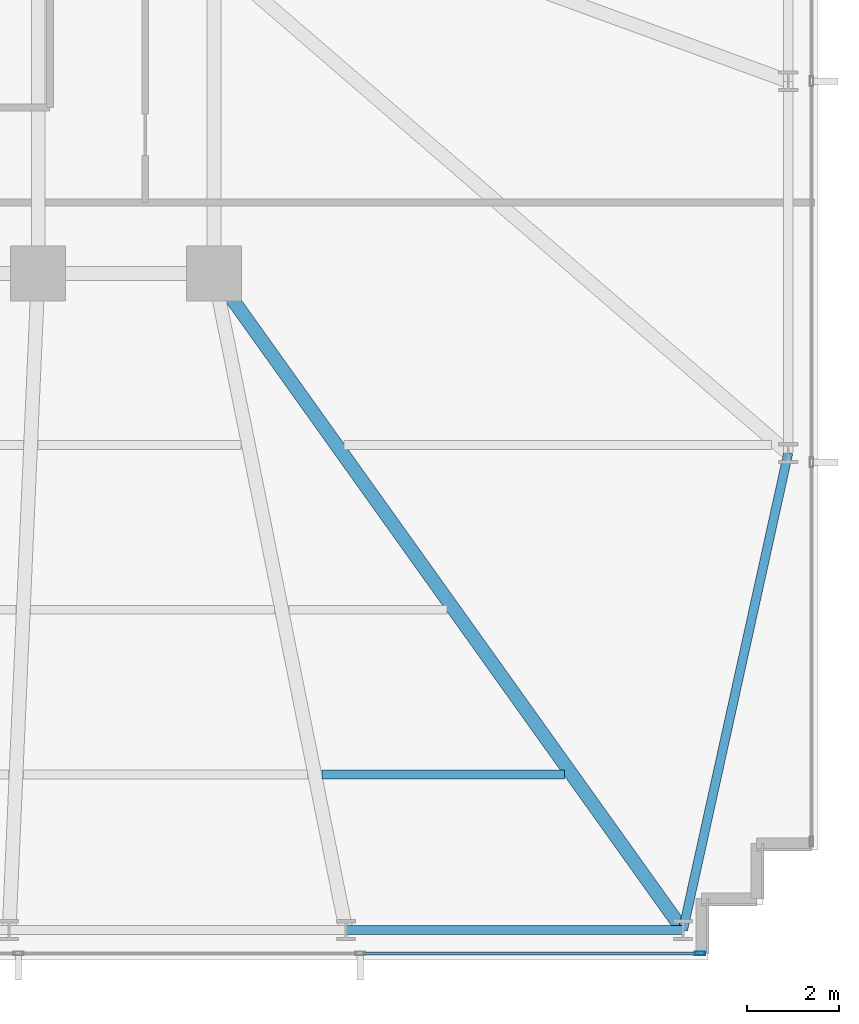
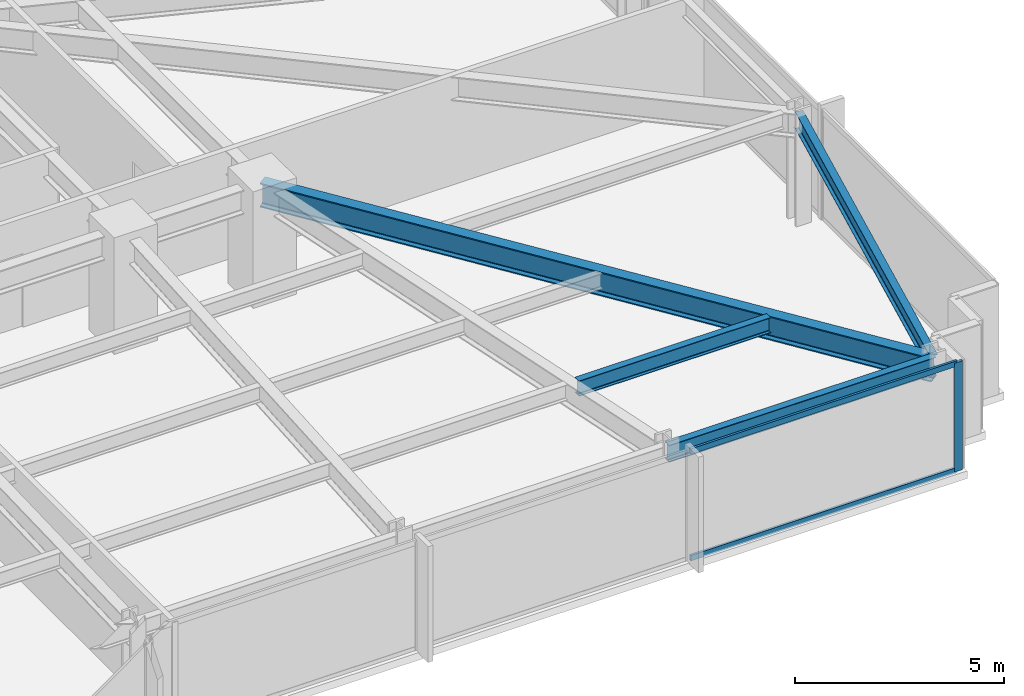
# One storey, part 15 of 32: 4 beams, 3 members, 1 element without a shape of its own.
"""IFC4 building model written with IfcOpenShell, lengths in metres."""

from ifc_helpers import new_model, si_unit, direction, frame, origin, origin_2d, place, context, subcontext, project, spatial, hollow_rectangle, i_section, extrude, material, material_profile, profile_set, type_object, element, aggregate, save


model = new_model("IFC4")

# Units and contexts
model_context = context("Model", 3, precision=1e-05, world=origin(), true_north=direction((0.0, 1.0)))
body_context = subcontext(model_context, "Body", "Model", "MODEL_VIEW")
ifc_project = project(units=[si_unit("LENGTHUNIT", "METRE"), si_unit("AREAUNIT", "SQUARE_METRE"), si_unit("VOLUMEUNIT", "CUBIC_METRE"), si_unit("PLANEANGLEUNIT", "RADIAN"), si_unit("MASSUNIT", "GRAM", prefix="KILO")], contexts=[model_context])

# Site, building, storey
site_placement = place(None, origin())
site = spatial("IfcSite", under=ifc_project, at=site_placement, CompositionType="ELEMENT")
building_placement = place(site_placement, origin())
building = spatial("IfcBuilding", under=site, at=building_placement, Name="Yelkora Congress Tower", CompositionType="ELEMENT")
storey_placement = place(building_placement, frame((0.0, 0.0, 57.60009765625)))
storey = spatial("IfcBuildingStorey", under=building, at=storey_placement, Name="L14", CompositionType="ELEMENT", Elevation=57.60009765625)

# Beams
ifc_material_1 = material(Name="Steel S355J2", Category="steel")
ifc_material_profile_1 = material_profile(ifc_material_1, i_section(OverallWidth=0.300048828125, OverallDepth=0.699951171875, WebThickness=0.01708984375, FlangeThickness=0.031982421875, FilletRadius=0.027099609375, at=origin_2d()), Name="HEB 700")
ifc_profile_set_1 = profile_set([ifc_material_profile_1], Name="Steel S355J2")
beam_type_1 = type_object("IfcBeamType", Name="BM-GIRD-HEB700", PredefinedType="BEAM", material=ifc_profile_set_1)
beam_1_placement = place(storey_placement, frame((67.85009765625, 10.85009765625, 2.829833984375), z_axis=(-0.581242122521, 0.813730664906, 0.0), x_axis=(-0.813730664906, -0.581242122521, 0.0)))
element("IfcBeam", 1, at=beam_1_placement, inside=storey, type_object=beam_type_1, Name="L14 Primary Frame Girder S09", PredefinedType="BEAM", context=body_context, shape_type="SweptSolid", body=[
    extrude(i_section(OverallWidth=0.300048828125, OverallDepth=0.699951171875, WebThickness=0.01708984375, FlangeThickness=0.031982421875, FilletRadius=0.027099609375, at=origin_2d()), origin(), (0.0, 0.0, 1.0), 17.634765625),
])
ifc_material_profile_2 = material_profile(ifc_material_1, i_section(OverallWidth=0.18994140625, OverallDepth=0.449951171875, WebThickness=0.009521484375, FlangeThickness=0.0146484375, FilletRadius=0.02099609375, at=origin_2d()), Name="IPE 450")
ifc_profile_set_2 = profile_set([ifc_material_profile_2], Name="Steel S355J2")
beam_type_2 = type_object("IfcBeamType", Name="BM-JOIST-IPE450", PredefinedType="JOIST", material=ifc_profile_set_2)
beam_2_placement = place(storey_placement, frame((59.96337890625, 14.25, 2.954833984375), z_axis=(1.0, 0.0, 0.0), x_axis=(0.0, 1.0, 0.0)))
element("IfcBeam", 2, at=beam_2_placement, inside=storey, type_object=beam_type_2, Name="L14 Composite Floor Joist 8", PredefinedType="JOIST", context=body_context, shape_type="SweptSolid", body=[
    extrude(i_section(OverallWidth=0.18994140625, OverallDepth=0.449951171875, WebThickness=0.009521484375, FlangeThickness=0.0146484375, FilletRadius=0.02099609375, at=origin_2d()), origin(), (0.0, 0.0, 1.0), 5.298095703125),
])
ifc_material_profile_3 = material_profile(ifc_material_1, i_section(OverallWidth=0.199951171875, OverallDepth=0.5, WebThickness=0.01025390625, FlangeThickness=0.01611328125, FilletRadius=0.02099609375, at=origin_2d()), Name="IPE 500")
ifc_profile_set_3 = profile_set([ifc_material_profile_3], Name="Steel S355J2")
beam_type_3 = type_object("IfcBeamType", Name="BM-SPAN-IPE500", PredefinedType="SPANDREL", material=ifc_profile_set_3)
beam_3_placement = place(storey_placement, frame((60.487548828125, 10.85009765625, 2.929931640625), z_axis=(1.0, 0.0, 0.0), x_axis=(0.0, 1.0, 0.0)))
element("IfcBeam", 3, at=beam_3_placement, inside=storey, type_object=beam_type_3, Name="L14 Perimeter Beam 9", PredefinedType="SPANDREL", context=body_context, shape_type="SweptSolid", body=[
    extrude(i_section(OverallWidth=0.199951171875, OverallDepth=0.5, WebThickness=0.01025390625, FlangeThickness=0.01611328125, FilletRadius=0.02099609375, at=origin_2d()), origin(), (0.0, 0.0, 1.0), 7.362548828125),
])
beam_4_placement = place(storey_placement, frame((67.85009765625, 10.85009765625, 2.929931640625), z_axis=(0.215428898349, 0.97651952861, 0.0), x_axis=(-0.97651952861, 0.215428898349, 0.0)))
element("IfcBeam", 4, at=beam_4_placement, inside=storey, type_object=beam_type_3, Name="L14 Perimeter Beam 10", PredefinedType="SPANDREL", context=body_context, shape_type="SweptSolid", body=[
    extrude(i_section(OverallWidth=0.199951171875, OverallDepth=0.5, WebThickness=0.01025390625, FlangeThickness=0.01611328125, FilletRadius=0.02099609375, at=origin_2d()), origin(), (0.0, 0.0, 1.0), 10.675537109375),
])

# Curtain wall, members
ifc_material_2 = material(Name="Anodised aluminium and insulated glass", Category="aluminium")
curtain_wall_type = type_object("IfcCurtainWallType", Name="CW-SYS-B1", PredefinedType="NOTDEFINED", material=ifc_material_2)
curtain_wall_placement = place(storey_placement, origin())
curtain_wall = element("IfcCurtainWall", 5, at=curtain_wall_placement, inside=storey, type_object=curtain_wall_type, Name="L14 Unitised Curtain Wall 20", PredefinedType="NOTDEFINED")
ifc_material_3 = material(Name="Anodised aluminium 6063-T6", Category="aluminium")
ifc_material_profile_4 = material_profile(ifc_material_3, hollow_rectangle(XDim=0.074951171875, YDim=0.219970703125, WallThickness=0.0048828125, at=origin_2d()), Name="ALU 75x220x5")
ifc_profile_set_4 = profile_set([ifc_material_profile_4], Name="Anodised aluminium 6063-T6")
member_type_1 = type_object("IfcMemberType", Name="MEM-ML-B1", PredefinedType="MULLION", material=ifc_profile_set_4)
member_1_placement = place(storey_placement, frame((68.222412109375, 10.340087890625, 0.0), z_axis=(0.0, 0.0, 1.0), x_axis=(0.0, -1.0, 0.0)))
member_1 = element("IfcMember", 6, at=member_1_placement, type_object=member_type_1, Name="CW-B1 mullion 1", PredefinedType="MULLION", context=body_context, shape_type="SweptSolid", body=[
    extrude(hollow_rectangle(XDim=0.074951171875, YDim=0.219970703125, WallThickness=0.0048828125, at=origin_2d()), origin(), (0.0, 0.0, 1.0), 3.179931640625),
])
ifc_material_profile_5 = material_profile(ifc_material_3, hollow_rectangle(XDim=0.06494140625, YDim=0.159912109375, WallThickness=0.00390625, at=origin_2d()), Name="ALU 65x160x4")
ifc_profile_set_5 = profile_set([ifc_material_profile_5], Name="Anodised aluminium 6063-T6")
member_type_2 = type_object("IfcMemberType", Name="MEM-TR-B1", PredefinedType="USERDEFINED", material=ifc_profile_set_5)
member_2_placement = place(storey_placement, frame((68.18505859375, 10.340087890625, 0.032470703125), z_axis=(-1.0, 0.0, 0.0), x_axis=(0.0, -1.0, 0.0)))
member_2 = element("IfcMember", 7, at=member_2_placement, type_object=member_type_2, Name="CW-B1 transom 1.1", ObjectType="TRANSOM", PredefinedType="USERDEFINED", context=body_context, shape_type="SweptSolid", body=[
    extrude(hollow_rectangle(XDim=0.06494140625, YDim=0.159912109375, WallThickness=0.00390625, at=origin_2d()), origin(), (0.0, 0.0, 1.0), 7.3525390625),
])
member_3_placement = place(storey_placement, frame((68.18505859375, 10.340087890625, 3.1474609375), z_axis=(-1.0, 0.0, 0.0), x_axis=(0.0, -1.0, 0.0)))
member_3 = element("IfcMember", 8, at=member_3_placement, type_object=member_type_2, Name="CW-B1 transom 1.2", ObjectType="TRANSOM", PredefinedType="USERDEFINED", context=body_context, shape_type="SweptSolid", body=[
    extrude(hollow_rectangle(XDim=0.06494140625, YDim=0.159912109375, WallThickness=0.00390625, at=origin_2d()), origin(), (0.0, 0.0, 1.0), 7.3525390625),
])
aggregate(curtain_wall, [member_1, member_2, member_3])

save(model, "model.ifc")
